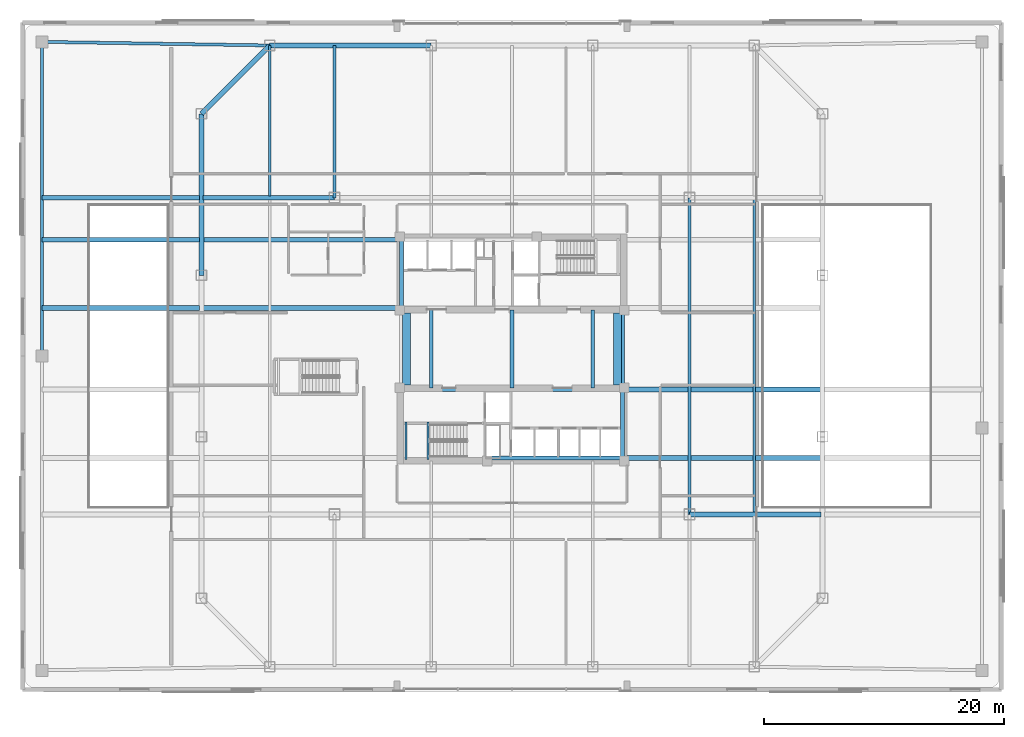
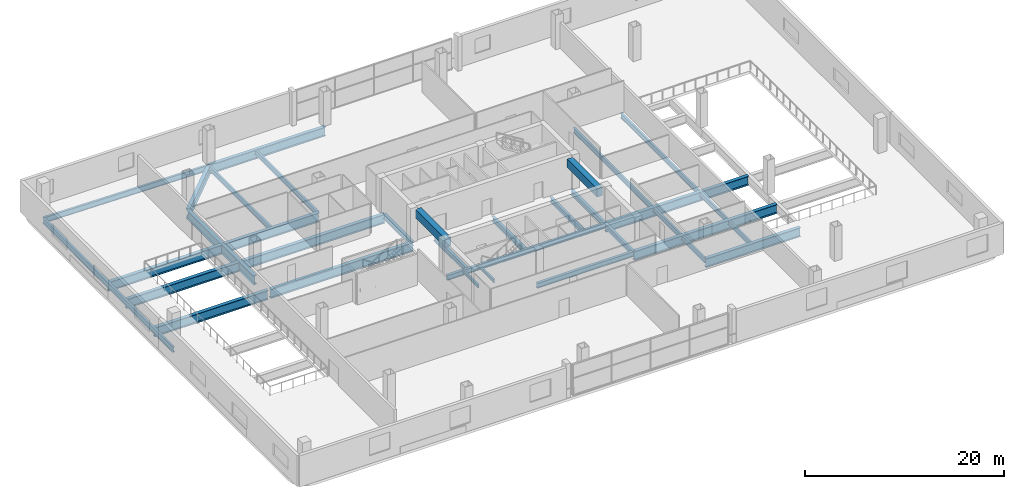
# One storey, part 7 of 21: 30 beams.
"""IFC4 building model written with IfcOpenShell, lengths in metres."""

from ifc_helpers import new_model, si_unit, direction, frame, origin, origin_2d, place, context, subcontext, project, spatial, rectangle, i_section, extrude, material, material_profile, profile_set, type_object, element, save


model = new_model("IFC4")

# Units and contexts
model_context = context("Model", 3, precision=1e-05, world=origin(), true_north=direction((0.0, 1.0)))
body_context = subcontext(model_context, "Body", "Model", "MODEL_VIEW")
ifc_project = project(units=[si_unit("LENGTHUNIT", "METRE"), si_unit("AREAUNIT", "SQUARE_METRE"), si_unit("VOLUMEUNIT", "CUBIC_METRE"), si_unit("PLANEANGLEUNIT", "RADIAN"), si_unit("MASSUNIT", "GRAM", prefix="KILO")], contexts=[model_context])

# Site, building, storey
site_placement = place(None, origin())
site = spatial("IfcSite", under=ifc_project, at=site_placement, CompositionType="ELEMENT")
building_placement = place(site_placement, origin())
building = spatial("IfcBuilding", under=site, at=building_placement, Name="Qhalaya Broadcast Tower", CompositionType="ELEMENT")
storey_placement = place(building_placement, frame((0.0, 0.0, 17.699951171875)))
storey = spatial("IfcBuildingStorey", under=building, at=storey_placement, Name="L04", CompositionType="ELEMENT", Elevation=17.699951171875)

# Beams
ifc_material_1 = material(Name="Structural Steel ASTM A992 Grade 50", Category="steel")
ifc_material_profile_1 = material_profile(ifc_material_1, i_section(OverallWidth=0.22802734375, OverallDepth=0.60693359375, WebThickness=0.01123046875, FlangeThickness=0.017333984375, at=origin_2d()), Name="W24X76")
ifc_profile_set_1 = profile_set([ifc_material_profile_1], Name="Structural Steel ASTM A992 Grade 50")
beam_type_1 = type_object("IfcBeamType", Name="Composite Floor Joist J01", PredefinedType="JOIST", material=ifc_profile_set_1)
beam_1_placement = place(storey_placement, frame((-20.199951171875, 13.340087890625, -0.62353515625), z_axis=(0.0, 1.0, 0.0), x_axis=(-1.0, 0.0, 0.0)))
element("IfcBeam", 1, at=beam_1_placement, inside=storey, type_object=beam_type_1, Name="L04 J01 L04-JS-N-20.2", PredefinedType="JOIST", context=body_context, shape_type="SweptSolid", body=[
    extrude(i_section(OverallWidth=0.22802734375, OverallDepth=0.60693359375, WebThickness=0.01123046875, FlangeThickness=0.017333984375, at=origin_2d()), origin(), (0.0, 0.0, 1.0), 12.559814453125),
])
beam_2_placement = place(storey_placement, frame((-14.800048828125, 13.199951171875, -0.62353515625), z_axis=(0.0, 1.0, 0.0), x_axis=(-1.0, 0.0, 0.0)))
element("IfcBeam", 2, at=beam_2_placement, inside=storey, type_object=beam_type_1, Name="L04 J01 L04-JS-N-14.8", PredefinedType="JOIST", context=body_context, shape_type="SweptSolid", body=[
    extrude(i_section(OverallWidth=0.22802734375, OverallDepth=0.60693359375, WebThickness=0.01123046875, FlangeThickness=0.017333984375, at=origin_2d()), origin(), (0.0, 0.0, 1.0), 12.699951171875),
])
beam_3_placement = place(storey_placement, frame((14.800048828125, -13.199951171875, -0.62353515625), z_axis=(0.0, 1.0, 0.0), x_axis=(-1.0, 0.0, 0.0)))
element("IfcBeam", 3, at=beam_3_placement, inside=storey, type_object=beam_type_1, Name="L04 J01 L04-JS-M+14.8", PredefinedType="JOIST", context=body_context, shape_type="SweptSolid", body=[
    extrude(i_section(OverallWidth=0.22802734375, OverallDepth=0.60693359375, WebThickness=0.01123046875, FlangeThickness=0.017333984375, at=origin_2d()), origin(), (0.0, 0.0, 1.0), 26.39990234375),
])
beam_4_placement = place(storey_placement, frame((20.199951171875, -13.06005859375, -0.62353515625), z_axis=(0.0, 1.0, 0.0), x_axis=(-1.0, 0.0, 0.0)))
element("IfcBeam", 4, at=beam_4_placement, inside=storey, type_object=beam_type_1, Name="L04 J01 L04-JS-M+20.2", PredefinedType="JOIST", context=body_context, shape_type="SweptSolid", body=[
    extrude(i_section(OverallWidth=0.22802734375, OverallDepth=0.60693359375, WebThickness=0.01123046875, FlangeThickness=0.017333984375, at=origin_2d()), origin(), (0.0, 0.0, 1.0), 26.1201171875),
])
ifc_material_profile_2 = material_profile(ifc_material_1, i_section(OverallWidth=0.323974609375, OverallDepth=0.612060546875, WebThickness=0.0126953125, FlangeThickness=0.01904296875, at=origin_2d()), Name="W24X104")
ifc_profile_set_2 = profile_set([ifc_material_profile_2], Name="Structural Steel ASTM A992 Grade 50")
beam_type_2 = type_object("IfcBeamType", Name="Core Frame Tie Beam B04", PredefinedType="BEAM", material=ifc_profile_set_2)
beam_5_placement = place(storey_placement, frame((-9.199951171875, 4.0, -0.6259765625), z_axis=(0.0, 1.0, 0.0), x_axis=(-1.0, 0.0, 0.0)))
element("IfcBeam", 5, at=beam_5_placement, inside=storey, type_object=beam_type_2, Name="L04 B04 L04-CCN2", PredefinedType="BEAM", context=body_context, shape_type="SweptSolid", body=[
    extrude(i_section(OverallWidth=0.323974609375, OverallDepth=0.612060546875, WebThickness=0.0126953125, FlangeThickness=0.01904296875, at=origin_2d()), origin(), (0.0, 0.0, 1.0), 5.699951171875),
])
beam_6_placement = place(storey_placement, frame((-9.199951171875, -2.800048828125, -0.6259765625), z_axis=(1.0, 0.0, 0.0), x_axis=(0.0, 1.0, 0.0)))
element("IfcBeam", 6, at=beam_6_placement, inside=storey, type_object=beam_type_2, Name="L04 B04 L04-CCS1", PredefinedType="BEAM", context=body_context, shape_type="SweptSolid", body=[
    extrude(i_section(OverallWidth=0.323974609375, OverallDepth=0.612060546875, WebThickness=0.0126953125, FlangeThickness=0.01904296875, at=origin_2d()), origin(), (0.0, 0.0, 1.0), 18.39990234375),
])
beam_7_placement = place(storey_placement, frame((9.199951171875, -8.5, -0.6259765625), z_axis=(0.0, 1.0, 0.0), x_axis=(-1.0, 0.0, 0.0)))
element("IfcBeam", 7, at=beam_7_placement, inside=storey, type_object=beam_type_2, Name="L04 B04 L04-CCS2", PredefinedType="BEAM", context=body_context, shape_type="SweptSolid", body=[
    extrude(i_section(OverallWidth=0.323974609375, OverallDepth=0.612060546875, WebThickness=0.0126953125, FlangeThickness=0.01904296875, at=origin_2d()), origin(), (0.0, 0.0, 1.0), 5.699951171875),
])
beam_8_placement = place(storey_placement, frame((-2.050048828125, -8.5, -0.6259765625), z_axis=(1.0, 0.0, 0.0), x_axis=(0.0, 1.0, 0.0)))
element("IfcBeam", 8, at=beam_8_placement, inside=storey, type_object=beam_type_2, Name="L04 B04 L04-CCS3", PredefinedType="BEAM", context=body_context, shape_type="SweptSolid", body=[
    extrude(i_section(OverallWidth=0.323974609375, OverallDepth=0.612060546875, WebThickness=0.0126953125, FlangeThickness=0.01904296875, at=origin_2d()), origin(), (0.0, 0.0, 1.0), 11.25),
])
beam_9_placement = place(storey_placement, frame((9.199951171875, -2.800048828125, -0.6259765625), z_axis=(0.0, 1.0, 0.0), x_axis=(-1.0, 0.0, 0.0)))
element("IfcBeam", 9, at=beam_9_placement, inside=storey, type_object=beam_type_2, Name="L04 B04 L04-CCE", PredefinedType="BEAM", context=body_context, shape_type="SweptSolid", body=[
    extrude(i_section(OverallWidth=0.323974609375, OverallDepth=0.612060546875, WebThickness=0.0126953125, FlangeThickness=0.01904296875, at=origin_2d()), origin(), (0.0, 0.0, 1.0), 6.800048828125),
])
for number, where, z_axis, x_axis, name in (
    (10, (-6.7333984375, -2.64990234375, -0.6259765625), (0.0, 1.0, 0.0), (-1.0, 0.0, 0.0), "L04 B04 L04-JS-CM-6.7"),
    (11, (0.0, -2.64990234375, -0.6259765625), (0.0, 1.0, 0.0), (-1.0, 0.0, 0.0), "L04 B04 L04-JS-CM+0.0"),
    (12, (6.7333984375, -2.64990234375, -0.6259765625), (0.0, 1.0, 0.0), (-1.0, 0.0, 0.0), "L04 B04 L04-JS-CM+6.7"),
):
    element("IfcBeam", number, at=place(storey_placement, frame(where, z_axis=z_axis, x_axis=x_axis)), inside=storey, type_object=beam_type_2, Name=name, PredefinedType="BEAM", context=body_context, shape_type="SweptSolid", body=[
        extrude(i_section(OverallWidth=0.323974609375, OverallDepth=0.612060546875, WebThickness=0.0126953125, FlangeThickness=0.01904296875, at=origin_2d()), origin(), (0.0, 0.0, 1.0), 6.5),
    ])
ifc_material_profile_3 = material_profile(ifc_material_1, i_section(OverallWidth=0.25390625, OverallDepth=0.68310546875, WebThickness=0.012451171875, FlangeThickness=0.01904296875, at=origin_2d()), Name="W27X94")
ifc_profile_set_3 = profile_set([ifc_material_profile_3], Name="Structural Steel ASTM A992 Grade 50")
beam_type_3 = type_object("IfcBeamType", Name="Perimeter Ring Spandrel Beam SP1", PredefinedType="SPANDREL", material=ifc_profile_set_3)
beam_10_placement = place(storey_placement, frame((-39.199951171875, 26.199951171875, -0.661376953125), z_axis=(0.999875328998, -0.015790074776, 0.0), x_axis=(0.015790074776, 0.999875328998, 0.0)))
element("IfcBeam", 13, at=beam_10_placement, inside=storey, type_object=beam_type_3, Name="L04 SP1 L04-SP-N1", PredefinedType="SPANDREL", context=body_context, shape_type="SweptSolid", body=[
    extrude(i_section(OverallWidth=0.25390625, OverallDepth=0.68310546875, WebThickness=0.012451171875, FlangeThickness=0.01904296875, at=origin_2d()), origin(), (0.0, 0.0, 1.0), 19.00244140625),
])
beam_11_placement = place(storey_placement, frame((-39.199951171875, 0.0, -0.661376953125), z_axis=(0.0, 1.0, 0.0), x_axis=(-1.0, 0.0, 0.0)))
element("IfcBeam", 14, at=beam_11_placement, inside=storey, type_object=beam_type_3, Name="L04 SP1 L04-SP-W2", PredefinedType="SPANDREL", context=body_context, shape_type="SweptSolid", body=[
    extrude(i_section(OverallWidth=0.25390625, OverallDepth=0.68310546875, WebThickness=0.012451171875, FlangeThickness=0.01904296875, at=origin_2d()), origin(), (0.0, 0.0, 1.0), 26.199951171875),
])
ifc_material_profile_4 = material_profile(ifc_material_1, i_section(OverallWidth=0.404052734375, OverallDepth=1.117919921875, WebThickness=0.026123046875, FlangeThickness=0.044921875, at=origin_2d()), Name="W44X335")
ifc_profile_set_4 = profile_set([ifc_material_profile_4], Name="Structural Steel ASTM A992 Grade 50")
beam_type_4 = type_object("IfcBeamType", Name="Podium Long-Span Primary Girder PG1", PredefinedType="USERDEFINED", material=ifc_profile_set_4)
beam_12_placement = place(storey_placement, frame((-6.7333984375, 25.89990234375, -0.87890625), z_axis=(-1.0, 0.0, 0.0), x_axis=(0.0, -1.0, 0.0)))
element("IfcBeam", 15, at=beam_12_placement, inside=storey, type_object=beam_type_4, Name="L04 PG1 L04-PG-R11", ObjectType="GIRDER", PredefinedType="USERDEFINED", context=body_context, shape_type="SweptSolid", body=[
    extrude(i_section(OverallWidth=0.404052734375, OverallDepth=1.117919921875, WebThickness=0.026123046875, FlangeThickness=0.044921875, at=origin_2d()), origin(), (0.0, 0.0, 1.0), 13.466552734375),
])
beam_13_placement = place(storey_placement, frame((-20.199951171875, 25.89990234375, -0.87890625), z_axis=(-0.707106781187, -0.707106781187, 0.0), x_axis=(0.707106781187, -0.707106781187, 0.0)))
element("IfcBeam", 16, at=beam_13_placement, inside=storey, type_object=beam_type_4, Name="L04 PG1 L04-PG-R12", ObjectType="GIRDER", PredefinedType="USERDEFINED", context=body_context, shape_type="SweptSolid", body=[
    extrude(i_section(OverallWidth=0.404052734375, OverallDepth=1.117919921875, WebThickness=0.026123046875, FlangeThickness=0.044921875, at=origin_2d()), origin(), (0.0, 0.0, 1.0), 8.06103515625),
])
beam_14_placement = place(storey_placement, frame((-25.89990234375, 20.199951171875, -0.87890625), z_axis=(0.0, -1.0, 0.0), x_axis=(1.0, 0.0, 0.0)))
element("IfcBeam", 17, at=beam_14_placement, inside=storey, type_object=beam_type_4, Name="L04 PG1 L04-PG-R13", ObjectType="GIRDER", PredefinedType="USERDEFINED", context=body_context, shape_type="SweptSolid", body=[
    extrude(i_section(OverallWidth=0.404052734375, OverallDepth=1.117919921875, WebThickness=0.026123046875, FlangeThickness=0.044921875, at=origin_2d()), origin(), (0.0, 0.0, 1.0), 13.466552734375),
])
beam_15_placement = place(storey_placement, frame((14.800048828125, -13.199951171875, -0.87890625), z_axis=(1.0, 0.0, 0.0), x_axis=(0.0, 1.0, 0.0)))
element("IfcBeam", 18, at=beam_15_placement, inside=storey, type_object=beam_type_4, Name="L04 PG1 L04-PG-GS4", ObjectType="GIRDER", PredefinedType="USERDEFINED", context=body_context, shape_type="SweptSolid", body=[
    extrude(i_section(OverallWidth=0.404052734375, OverallDepth=1.117919921875, WebThickness=0.026123046875, FlangeThickness=0.044921875, at=origin_2d()), origin(), (0.0, 0.0, 1.0), 10.9599609375),
])
beam_16_placement = place(storey_placement, frame((-39.199951171875, 13.199951171875, -0.87890625), z_axis=(1.0, 0.0, 0.0), x_axis=(0.0, 1.0, 0.0)))
element("IfcBeam", 19, at=beam_16_placement, inside=storey, type_object=beam_type_4, Name="L04 PG1 L04-PG-GN1", ObjectType="GIRDER", PredefinedType="USERDEFINED", context=body_context, shape_type="SweptSolid", body=[
    extrude(i_section(OverallWidth=0.404052734375, OverallDepth=1.117919921875, WebThickness=0.026123046875, FlangeThickness=0.044921875, at=origin_2d()), origin(), (0.0, 0.0, 1.0), 13.159912109375),
])
beam_17_placement = place(storey_placement, frame((-25.760009765625, 13.199951171875, -0.87890625), z_axis=(1.0, 0.0, 0.0), x_axis=(0.0, 1.0, 0.0)))
element("IfcBeam", 20, at=beam_17_placement, inside=storey, type_object=beam_type_4, Name="L04 PG1 L04-PG-GN2", ObjectType="GIRDER", PredefinedType="USERDEFINED", context=body_context, shape_type="SweptSolid", body=[
    extrude(i_section(OverallWidth=0.404052734375, OverallDepth=1.117919921875, WebThickness=0.026123046875, FlangeThickness=0.044921875, at=origin_2d()), origin(), (0.0, 0.0, 1.0), 10.9599609375),
])
for number, where, z_axis, x_axis, name in (
    (21, (9.199951171875, -8.5, -0.87890625), (1.0, 0.0, 0.0), (0.0, 1.0, 0.0), "L04 PG1 L04-PG-E1A"),
    (22, (9.199951171875, -2.800048828125, -0.87890625), (1.0, 0.0, 0.0), (0.0, 1.0, 0.0), "L04 PG1 L04-PG-E2A"),
):
    element("IfcBeam", number, at=place(storey_placement, frame(where, z_axis=z_axis, x_axis=x_axis)), inside=storey, type_object=beam_type_4, Name=name, ObjectType="GIRDER", PredefinedType="USERDEFINED", context=body_context, shape_type="SweptSolid", body=[
        extrude(i_section(OverallWidth=0.404052734375, OverallDepth=1.117919921875, WebThickness=0.026123046875, FlangeThickness=0.044921875, at=origin_2d()), origin(), (0.0, 0.0, 1.0), 16.56005859375),
    ])
beam_18_placement = place(storey_placement, frame((-39.199951171875, 4.0, -0.87890625), z_axis=(1.0, 0.0, 0.0), x_axis=(0.0, 1.0, 0.0)))
element("IfcBeam", 23, at=beam_18_placement, inside=storey, type_object=beam_type_4, Name="L04 PG1 L04-PG-W3A", ObjectType="GIRDER", PredefinedType="USERDEFINED", context=body_context, shape_type="SweptSolid", body=[
    extrude(i_section(OverallWidth=0.404052734375, OverallDepth=1.117919921875, WebThickness=0.026123046875, FlangeThickness=0.044921875, at=origin_2d()), origin(), (0.0, 0.0, 1.0), 13.159912109375),
])
beam_19_placement = place(storey_placement, frame((-25.760009765625, 4.0, -0.87890625), z_axis=(1.0, 0.0, 0.0), x_axis=(0.0, 1.0, 0.0)))
element("IfcBeam", 24, at=beam_19_placement, inside=storey, type_object=beam_type_4, Name="L04 PG1 L04-PG-W3B", ObjectType="GIRDER", PredefinedType="USERDEFINED", context=body_context, shape_type="SweptSolid", body=[
    extrude(i_section(OverallWidth=0.404052734375, OverallDepth=1.117919921875, WebThickness=0.026123046875, FlangeThickness=0.044921875, at=origin_2d()), origin(), (0.0, 0.0, 1.0), 16.56005859375),
])
beam_20_placement = place(storey_placement, frame((-39.199951171875, 9.699951171875, -0.87890625), z_axis=(1.0, 0.0, 0.0), x_axis=(0.0, 1.0, 0.0)))
element("IfcBeam", 25, at=beam_20_placement, inside=storey, type_object=beam_type_4, Name="L04 PG1 L04-PG-W4A", ObjectType="GIRDER", PredefinedType="USERDEFINED", context=body_context, shape_type="SweptSolid", body=[
    extrude(i_section(OverallWidth=0.404052734375, OverallDepth=1.117919921875, WebThickness=0.026123046875, FlangeThickness=0.044921875, at=origin_2d()), origin(), (0.0, 0.0, 1.0), 13.159912109375),
])
beam_21_placement = place(storey_placement, frame((-25.760009765625, 9.699951171875, -0.87890625), z_axis=(1.0, 0.0, 0.0), x_axis=(0.0, 1.0, 0.0)))
element("IfcBeam", 26, at=beam_21_placement, inside=storey, type_object=beam_type_4, Name="L04 PG1 L04-PG-W4B", ObjectType="GIRDER", PredefinedType="USERDEFINED", context=body_context, shape_type="SweptSolid", body=[
    extrude(i_section(OverallWidth=0.404052734375, OverallDepth=1.117919921875, WebThickness=0.026123046875, FlangeThickness=0.044921875, at=origin_2d()), origin(), (0.0, 0.0, 1.0), 16.56005859375),
])
ifc_material_2 = material(Name="Concrete C60/75", Category="concrete")
ifc_material_profile_5 = material_profile(ifc_material_2, rectangle(XDim=0.64990234375, YDim=1.050048828125, at=origin_2d()), Name="RC-CB 650x1050")
ifc_profile_set_5 = profile_set([ifc_material_profile_5], Name="Concrete C60/75")
beam_type_5 = type_object("IfcBeamType", Name="Split-Core RC Coupling Lintel CB1", PredefinedType="LINTEL", material=ifc_profile_set_5)
for number, where, z_axis, x_axis, name in (
    (27, (-8.800048828125, -2.39990234375, 3.295166015625), (0.0, 1.0, 0.0), (-1.0, 0.0, 0.0), "L04 Core Coupling Lintel Beam W"),
    (28, (8.800048828125, -2.39990234375, 3.295166015625), (0.0, 1.0, 0.0), (-1.0, 0.0, 0.0), "L04 Core Coupling Lintel Beam E"),
):
    element("IfcBeam", number, at=place(storey_placement, frame(where, z_axis=z_axis, x_axis=x_axis)), inside=storey, type_object=beam_type_5, Name=name, PredefinedType="LINTEL", context=body_context, shape_type="SweptSolid", body=[
        extrude(rectangle(XDim=0.64990234375, YDim=1.050048828125, at=origin_2d()), origin(), (0.0, 0.0, 1.0), 6.0),
    ])
ifc_material_profile_6 = material_profile(ifc_material_1, i_section(OverallWidth=0.177978515625, OverallDepth=0.406005859375, WebThickness=0.0078125, FlangeThickness=0.0126953125, at=origin_2d()), Name="W16X40")
ifc_profile_set_6 = profile_set([ifc_material_profile_6], Name="Structural Steel ASTM A992 Grade 50")
beam_type_6 = type_object("IfcBeamType", Name="Upper Perimeter Spandrel Beam SP2", PredefinedType="SPANDREL", material=ifc_profile_set_6)
for number, where, z_axis, x_axis, name in (
    (29, (-8.830078125, -8.6201171875, 1.697021484375), (0.0, 1.0, 0.0), (-1.0, 0.0, 0.0), "L04 ST-2 Half-Landing Bearer Beam 1"),
    (30, (-7.014892578125, -8.6201171875, 1.697021484375), (0.0, 1.0, 0.0), (-1.0, 0.0, 0.0), "L04 ST-2 Half-Landing Bearer Beam 2"),
):
    element("IfcBeam", number, at=place(storey_placement, frame(where, z_axis=z_axis, x_axis=x_axis)), inside=storey, type_object=beam_type_6, Name=name, PredefinedType="SPANDREL", context=body_context, shape_type="SweptSolid", body=[
        extrude(i_section(OverallWidth=0.177978515625, OverallDepth=0.406005859375, WebThickness=0.0078125, FlangeThickness=0.0126953125, at=origin_2d()), origin(), (0.0, 0.0, 1.0), 3.1201171875),
    ])

save(model, "model.ifc")
